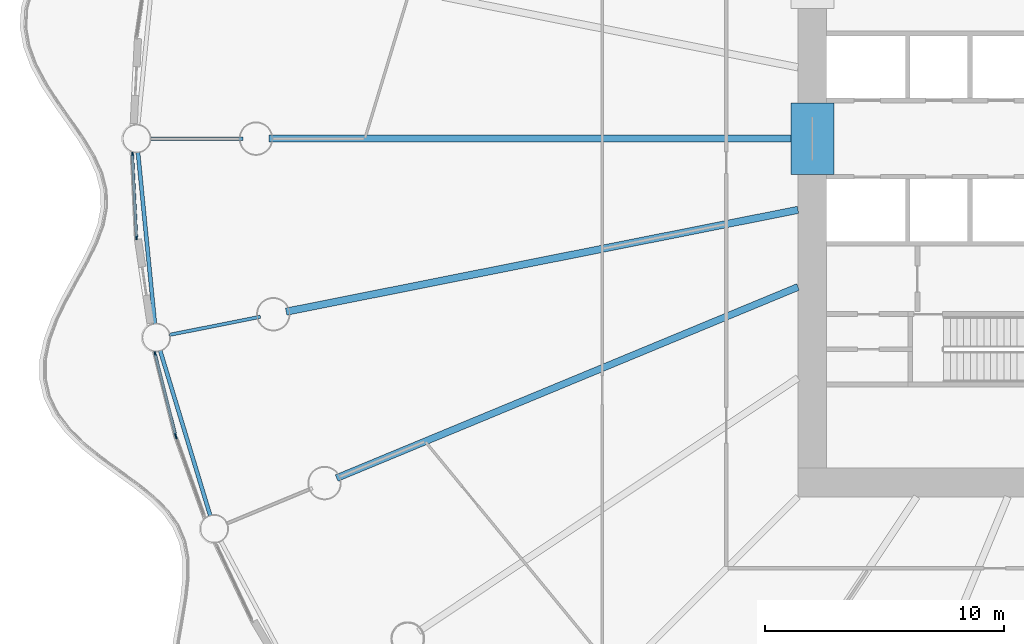
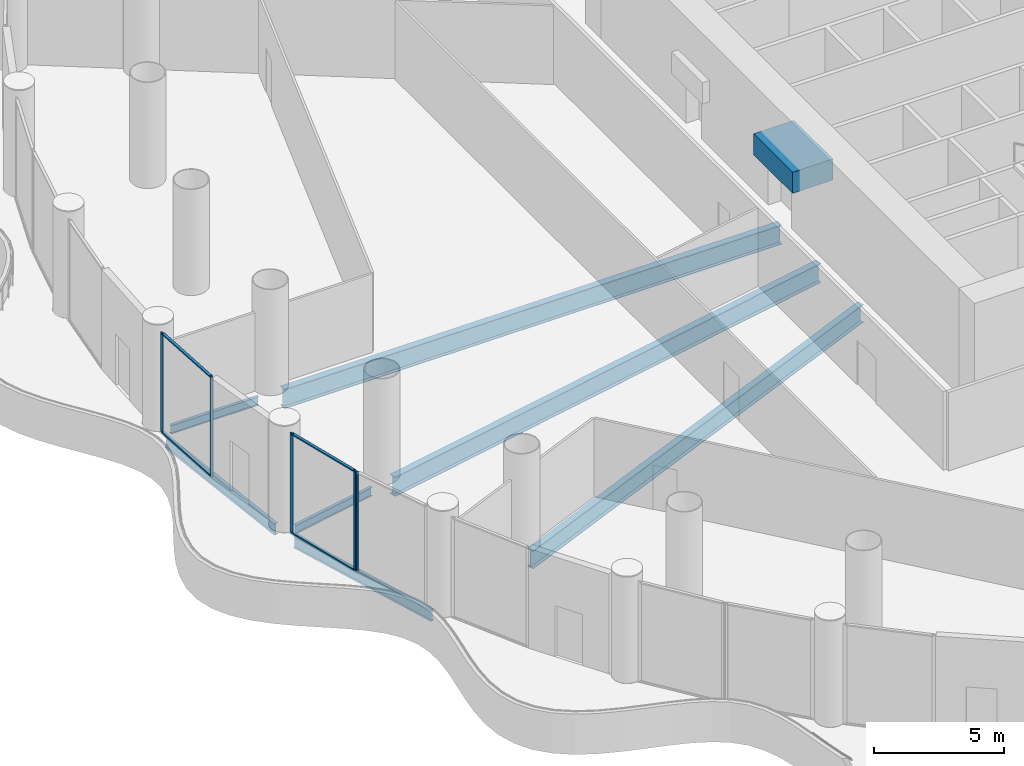
# One storey, part 7 of 38: 9 members, 8 beams, 3 elements without a shape of their own.
"""IFC4 building model written with IfcOpenShell, lengths in metres."""

from ifc_helpers import new_model, si_unit, direction, frame, origin, origin_2d, place, context, subcontext, project, spatial, rectangle, i_section, extrude, material, material_profile, profile_set, type_object, element, aggregate, save


model = new_model("IFC4")

# Units and contexts
model_context = context("Model", 3, precision=1e-05, world=origin(), true_north=direction((0.0, 1.0)))
body_context = subcontext(model_context, "Body", "Model", "MODEL_VIEW")
ifc_project = project(units=[si_unit("LENGTHUNIT", "METRE"), si_unit("AREAUNIT", "SQUARE_METRE"), si_unit("VOLUMEUNIT", "CUBIC_METRE"), si_unit("PLANEANGLEUNIT", "RADIAN"), si_unit("MASSUNIT", "GRAM", prefix="KILO")], contexts=[model_context])

# Site, building, storey
site_placement = place(None, origin())
site = spatial("IfcSite", under=ifc_project, at=site_placement, CompositionType="ELEMENT")
building_placement = place(site_placement, origin())
building = spatial("IfcBuilding", under=site, at=building_placement, Name="Corvane Civic Tower", CompositionType="ELEMENT")
storey_placement = place(building_placement, frame((0.0, 0.0, 32.0)))
storey = spatial("IfcBuildingStorey", under=building, at=storey_placement, Name="L06", CompositionType="ELEMENT", Elevation=32.0)

# Beams
ifc_material_1 = material(Name="Concrete C80/95", Category="concrete")
ifc_material_profile_1 = material_profile(ifc_material_1, rectangle(XDim=1.800048828125, YDim=1.0, at=origin_2d()), Name="COUPLING BEAM 1800X1000")
ifc_profile_set_1 = profile_set([ifc_material_profile_1], Name="Concrete C80/95")
beam_type_1 = type_object("IfcBeamType", Name="COUPLING BEAM COUPLING BEAM 1800X1000", PredefinedType="BEAM", material=ifc_profile_set_1)
beam_1_placement = place(storey_placement, frame((-14.39990234375, -1.5, 2.60009765625), z_axis=(0.0, 1.0, 0.0), x_axis=(-1.0, 0.0, 0.0)))
element("IfcBeam", 1, at=beam_1_placement, inside=storey, type_object=beam_type_1, Name="BM-L06-cpl-CW-LW", PredefinedType="BEAM", context=body_context, shape_type="SweptSolid", body=[
    extrude(rectangle(XDim=1.800048828125, YDim=1.0, at=origin_2d()), origin(), (0.0, 0.0, 1.0), 3.0),
])
ifc_material_2 = material(Name="Steel ASTM A992 Gr 50", Category="steel")
ifc_material_profile_2 = material_profile(ifc_material_2, i_section(OverallWidth=0.165771484375, OverallDepth=0.5283203125, WebThickness=0.009765625, FlangeThickness=0.013671875, at=origin_2d()), Name="W21X50")
ifc_profile_set_2 = profile_set([ifc_material_profile_2], Name="Steel ASTM A992 Gr 50")
beam_type_2 = type_object("IfcBeamType", Name="EDGE BEAM W21X50", PredefinedType="BEAM", material=ifc_profile_set_2)
for number, where, z_axis, x_axis, name in (
    (2, (-39.609375, -15.814208984375, -0.564208984375), (-0.290291633127, 0.956938225664, 0.0), (-0.956938225664, -0.290291633127, 0.0), "BM-L06-E23"),
    (3, (-41.93359375, -7.782958984375, -0.564208984375), (-0.097984225478, 0.995187967953, 0.0), (-0.995187967953, -0.097984225478, 0.0), "BM-L06-E24"),
):
    element("IfcBeam", number, at=place(storey_placement, frame(where, z_axis=z_axis, x_axis=x_axis)), inside=storey, type_object=beam_type_2, Name=name, PredefinedType="BEAM", context=body_context, shape_type="SweptSolid", body=[
        extrude(i_section(OverallWidth=0.165771484375, OverallDepth=0.5283203125, WebThickness=0.009765625, FlangeThickness=0.013671875, at=origin_2d()), origin(), (0.0, 0.0, 1.0), 7.2705078125),
    ])
ifc_material_3 = material(Name="Steel ASTM A992 Gr 50", Category="steel")
ifc_material_profile_3 = material_profile(ifc_material_3, i_section(OverallWidth=0.140380859375, OverallDepth=0.40380859375, WebThickness=0.007080078125, FlangeThickness=0.01123046875, at=origin_2d()), Name="W16X31")
ifc_profile_set_3 = profile_set([ifc_material_profile_3], Name="Steel ASTM A992 Gr 50")
beam_type_3 = type_object("IfcBeamType", Name="FLOOR GIRDER W16X31", PredefinedType="BEAM", material=ifc_profile_set_3)
for number, where, z_axis, x_axis, name in (
    (4, (-37.51513671875, -7.462158203125, -0.501953125), (-0.980777614264, -0.195128858343, 0.0), (0.195128858343, -0.980777614264, 0.0), "BM-L06-G24b"),
    (5, (-38.25, 0.0, -0.501953125), (-1.0, 0.0, 0.0), (0.0, -1.0, 0.0), "BM-L06-G25b"),
):
    element("IfcBeam", number, at=place(storey_placement, frame(where, z_axis=z_axis, x_axis=x_axis)), inside=storey, type_object=beam_type_3, Name=name, PredefinedType="BEAM", context=body_context, shape_type="SweptSolid", body=[
        extrude(i_section(OverallWidth=0.140380859375, OverallDepth=0.40380859375, WebThickness=0.007080078125, FlangeThickness=0.01123046875, at=origin_2d()), origin(), (0.0, 0.0, 1.0), 3.89990234375),
    ])
ifc_material_4 = material(Name="Steel ASTM A992 Gr 50", Category="steel")
ifc_material_profile_4 = material_profile(ifc_material_4, i_section(OverallWidth=0.2919921875, OverallDepth=0.845703125, WebThickness=0.015380859375, FlangeThickness=0.0244140625, at=origin_2d()), Name="W33X141")
ifc_profile_set_4 = profile_set([ifc_material_profile_4], Name="Steel ASTM A992 Gr 50")
beam_type_4 = type_object("IfcBeamType", Name="FLOOR GIRDER W33X141", PredefinedType="BEAM", material=ifc_profile_set_4)
beam_2_placement = place(storey_placement, frame((-15.0, -6.213134765625, -0.722900390625), z_axis=(-0.923875834355, -0.382692360381, 0.0), x_axis=(0.382692360381, -0.923875834355, 0.0)))
element("IfcBeam", 6, at=beam_2_placement, inside=storey, type_object=beam_type_4, Name="BM-L06-G23", PredefinedType="BEAM", context=body_context, shape_type="SweptSolid", body=[
    extrude(i_section(OverallWidth=0.2919921875, OverallDepth=0.845703125, WebThickness=0.015380859375, FlangeThickness=0.0244140625, at=origin_2d()), origin(), (0.0, 0.0, 1.0), 20.9140625),
])
ifc_material_5 = material(Name="Steel ASTM A992 Gr 50", Category="steel")
ifc_material_profile_5 = material_profile(ifc_material_5, i_section(OverallWidth=0.3046875, OverallDepth=0.911865234375, WebThickness=0.015869140625, FlangeThickness=0.02392578125, at=origin_2d()), Name="W36X150")
ifc_profile_set_5 = profile_set([ifc_material_profile_5], Name="Steel ASTM A992 Gr 50")
beam_type_5 = type_object("IfcBeamType", Name="FLOOR GIRDER W36X150", PredefinedType="BEAM", material=ifc_profile_set_5)
beam_3_placement = place(storey_placement, frame((-15.0, -2.983642578125, -0.755859375), z_axis=(-0.980785499679, -0.195089219638, 0.0), x_axis=(0.195089219638, -0.980785499679, 0.0)))
element("IfcBeam", 7, at=beam_3_placement, inside=storey, type_object=beam_type_5, Name="BM-L06-G24", PredefinedType="BEAM", context=body_context, shape_type="SweptSolid", body=[
    extrude(i_section(OverallWidth=0.3046875, OverallDepth=0.911865234375, WebThickness=0.015869140625, FlangeThickness=0.02392578125, at=origin_2d()), origin(), (0.0, 0.0, 1.0), 21.856201171875),
])
beam_4_placement = place(storey_placement, frame((-15.0, 0.0, -0.755859375), z_axis=(-1.0, 0.0, 0.0), x_axis=(0.0, -1.0, 0.0)))
element("IfcBeam", 8, at=beam_4_placement, inside=storey, type_object=beam_type_5, Name="BM-L06-G25", PredefinedType="BEAM", context=body_context, shape_type="SweptSolid", body=[
    extrude(i_section(OverallWidth=0.3046875, OverallDepth=0.911865234375, WebThickness=0.015869140625, FlangeThickness=0.02392578125, at=origin_2d()), origin(), (0.0, 0.0, 1.0), 22.14990234375),
])

# Curtain wall, member
ifc_material_6 = material(Name="Aluminium and glass", Category="aluminium")
curtain_wall_type = type_object("IfcCurtainWallType", Name="PODIUM-CW-P-RUN", PredefinedType="NOTDEFINED", material=ifc_material_6)
curtain_wall_1_placement = place(storey_placement, origin())
curtain_wall_1 = element("IfcCurtainWall", 9, at=curtain_wall_1_placement, inside=storey, type_object=curtain_wall_type, Name="PODI run L06-drum-23A", PredefinedType="NOTDEFINED")
ifc_material_7 = material(Name="Anodised aluminium bronze", Category="aluminium")
ifc_material_profile_6 = material_profile(ifc_material_7, rectangle(XDim=0.06005859375, YDim=0.159912109375, at=origin_2d()), Name="AL 60x160")
ifc_profile_set_6 = profile_set([ifc_material_profile_6], Name="Anodised aluminium bronze")
member_type_1 = type_object("IfcMemberType", Name="PODIUM-CWP-MULLION-60x160", PredefinedType="MULLION", material=ifc_profile_set_6)
member_1_placement = place(storey_placement, frame((-41.046875, -12.4990234375, 0.0), z_axis=(0.0, 0.0, 1.0), x_axis=(-0.941533802561, -0.336918534123, 0.0)))
member_1 = element("IfcMember", 10, at=member_1_placement, type_object=member_type_1, Name="CW-P mullion 2", PredefinedType="MULLION", context=body_context, shape_type="SweptSolid", body=[
    extrude(rectangle(XDim=0.06005859375, YDim=0.159912109375, at=origin_2d()), origin(), (0.0, 0.0, 1.0), 4.699951171875),
])
aggregate(curtain_wall_1, [member_1])

# Curtain wall, members
curtain_wall_2_placement = place(storey_placement, origin())
curtain_wall_2 = element("IfcCurtainWall", 11, at=curtain_wall_2_placement, inside=storey, type_object=curtain_wall_type, Name="PODI run L06-drum-23B", PredefinedType="NOTDEFINED")
member_2_placement = place(storey_placement, frame((-41.0732421875, -12.411865234375, 0.0), z_axis=(0.0, 0.0, 1.0), x_axis=(-0.970024070659, -0.243008852393, 0.0)))
member_2 = element("IfcMember", 12, at=member_2_placement, type_object=member_type_1, Name="CW-P mullion 1", PredefinedType="MULLION", context=body_context, shape_type="SweptSolid", body=[
    extrude(rectangle(XDim=0.06005859375, YDim=0.159912109375, at=origin_2d()), origin(), (0.0, 0.0, 1.0), 4.699951171875),
])
member_3_placement = place(storey_placement, frame((-41.9287109375, -8.99755859375, 0.0), z_axis=(0.0, 0.0, 1.0), x_axis=(-0.970024070659, -0.243008852393, 0.0)))
member_3 = element("IfcMember", 13, at=member_3_placement, type_object=member_type_1, Name="CW-P mullion 2", PredefinedType="MULLION", context=body_context, shape_type="SweptSolid", body=[
    extrude(rectangle(XDim=0.06005859375, YDim=0.159912109375, at=origin_2d()), origin(), (0.0, 0.0, 1.0), 4.699951171875),
])

curtain_wall_3_placement = place(storey_placement, origin())
curtain_wall_3 = element("IfcCurtainWall", 14, at=curtain_wall_3_placement, inside=storey, type_object=curtain_wall_type, Name="PODI run L06-drum-24B", PredefinedType="NOTDEFINED")
member_4_placement = place(storey_placement, frame((-42.70556640625, -4.16064453125, 0.0), z_axis=(0.0, 0.0, 1.0), x_axis=(-0.998796316803, -0.04905015332, 0.0)))
member_4 = element("IfcMember", 15, at=member_4_placement, type_object=member_type_1, Name="CW-P mullion 1", PredefinedType="MULLION", context=body_context, shape_type="SweptSolid", body=[
    extrude(rectangle(XDim=0.06005859375, YDim=0.159912109375, at=origin_2d()), origin(), (0.0, 0.0, 1.0), 4.699951171875),
])
member_5_placement = place(storey_placement, frame((-42.878173828125, -0.644775390625, 0.0), z_axis=(0.0, 0.0, 1.0), x_axis=(-0.998796316803, -0.04905015332, 0.0)))
member_5 = element("IfcMember", 16, at=member_5_placement, type_object=member_type_1, Name="CW-P mullion 2", PredefinedType="MULLION", context=body_context, shape_type="SweptSolid", body=[
    extrude(rectangle(XDim=0.06005859375, YDim=0.159912109375, at=origin_2d()), origin(), (0.0, 0.0, 1.0), 4.699951171875),
])

# Member
ifc_material_8 = material(Name="Anodised aluminium bronze", Category="aluminium")
ifc_material_profile_7 = material_profile(ifc_material_8, rectangle(XDim=0.1201171875, YDim=0.06005859375, at=origin_2d()), Name="AL 120x60")
ifc_profile_set_7 = profile_set([ifc_material_profile_7], Name="Anodised aluminium bronze")
member_type_2 = type_object("IfcMemberType", Name="PODIUM-CWP-TRANSOM-60x120", PredefinedType="USERDEFINED", material=ifc_profile_set_7)
member_6_placement = place(storey_placement, frame((-41.08056640625, -12.3828125, 0.030029296875), z_axis=(-0.243017080124, 0.970022009425, 0.0), x_axis=(-0.970022009425, -0.243017080124, 0.0)))
member_6 = element("IfcMember", 17, at=member_6_placement, type_object=member_type_2, Name="CW-P transom 1.1", ObjectType="TRANSOM", PredefinedType="USERDEFINED", context=body_context, shape_type="SweptSolid", body=[
    extrude(rectangle(XDim=0.1201171875, YDim=0.06005859375, at=origin_2d()), origin(), (0.0, 0.0, 1.0), 3.4599609375),
])

member_7_placement = place(storey_placement, frame((-41.08056640625, -12.3828125, 4.669921875), z_axis=(-0.243017080124, 0.970022009425, 0.0), x_axis=(-0.970022009425, -0.243017080124, 0.0)))
member_7 = element("IfcMember", 18, at=member_7_placement, type_object=member_type_2, Name="CW-P transom 1.2", ObjectType="TRANSOM", PredefinedType="USERDEFINED", context=body_context, shape_type="SweptSolid", body=[
    extrude(rectangle(XDim=0.1201171875, YDim=0.06005859375, at=origin_2d()), origin(), (0.0, 0.0, 1.0), 3.4599609375),
])

aggregate(curtain_wall_2, [member_2, member_3, member_6, member_7])

member_8_placement = place(storey_placement, frame((-42.70703125, -4.130615234375, 0.030029296875), z_axis=(-0.049040182301, 0.998796806423, 0.0), x_axis=(-0.998796806423, -0.049040182301, 0.0)))
member_8 = element("IfcMember", 19, at=member_8_placement, type_object=member_type_2, Name="CW-P transom 1.1", ObjectType="TRANSOM", PredefinedType="USERDEFINED", context=body_context, shape_type="SweptSolid", body=[
    extrude(rectangle(XDim=0.1201171875, YDim=0.06005859375, at=origin_2d()), origin(), (0.0, 0.0, 1.0), 3.4599609375),
])

member_9_placement = place(storey_placement, frame((-42.70703125, -4.130615234375, 4.669921875), z_axis=(-0.049040182301, 0.998796806423, 0.0), x_axis=(-0.998796806423, -0.049040182301, 0.0)))
member_9 = element("IfcMember", 20, at=member_9_placement, type_object=member_type_2, Name="CW-P transom 1.2", ObjectType="TRANSOM", PredefinedType="USERDEFINED", context=body_context, shape_type="SweptSolid", body=[
    extrude(rectangle(XDim=0.1201171875, YDim=0.06005859375, at=origin_2d()), origin(), (0.0, 0.0, 1.0), 3.4599609375),
])

aggregate(curtain_wall_3, [member_4, member_5, member_8, member_9])

save(model, "model.ifc")
